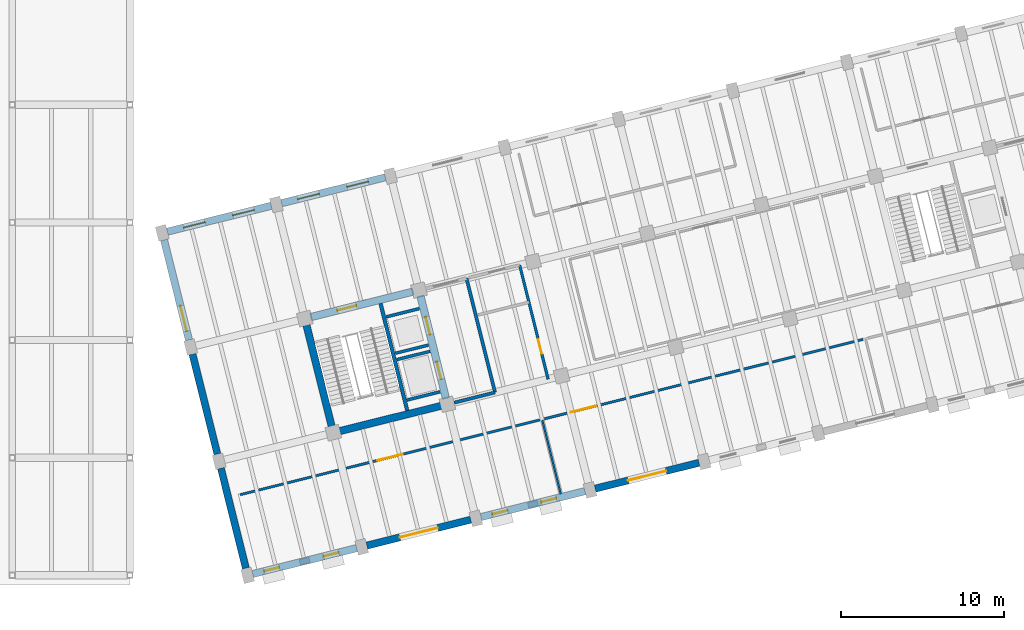
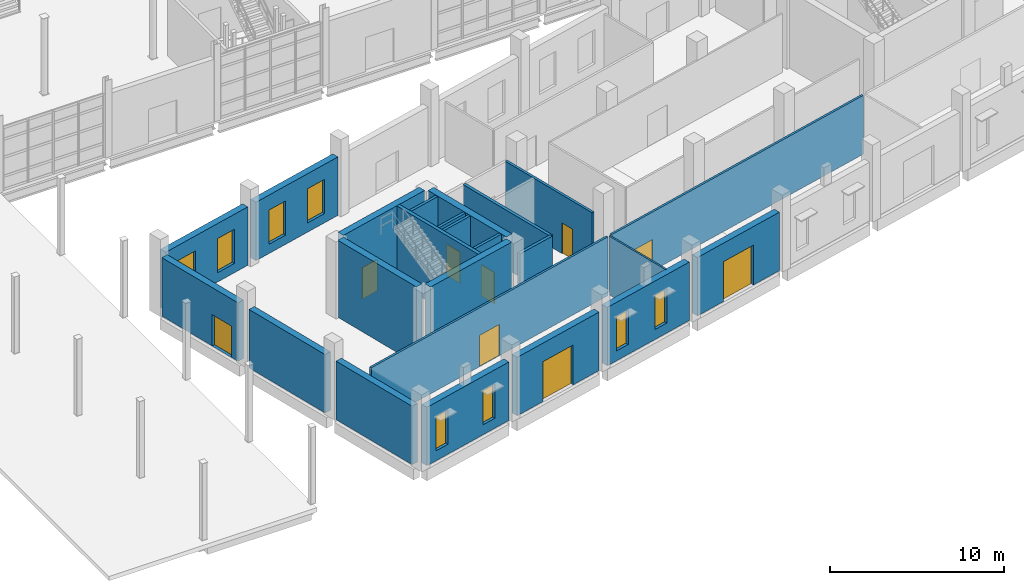
# One storey, part 63 of 79: 24 walls, 9 doors, 8 windows, 17 openings.
"""IFC4 building model written with IfcOpenShell, lengths in metres."""

from ifc_helpers import new_model, si_unit, direction, frame, frame_2d, origin, place, context, subcontext, project, spatial, rectangle, extrude, material, layer, layer_set, type_object, element, fill, save


model = new_model("IFC4")

# Units and contexts
model_context = context("Model", 3, precision=1e-05, world=origin(), true_north=direction((0.0, 1.0)))
body_context = subcontext(model_context, "Body", "Model", "MODEL_VIEW")
ifc_project = project(units=[si_unit("LENGTHUNIT", "METRE"), si_unit("AREAUNIT", "SQUARE_METRE"), si_unit("VOLUMEUNIT", "CUBIC_METRE"), si_unit("PLANEANGLEUNIT", "RADIAN"), si_unit("MASSUNIT", "GRAM", prefix="KILO")], contexts=[model_context])

# Site, building, storey
site_placement = place(None, origin())
site = spatial("IfcSite", under=ifc_project, at=site_placement, CompositionType="ELEMENT")
building_placement = place(site_placement, origin())
building = spatial("IfcBuilding", under=site, at=building_placement, Name="Qiaolan Assembly House", CompositionType="ELEMENT")
storey_placement = place(building_placement, origin())
storey = spatial("IfcBuildingStorey", under=building, at=storey_placement, Name="L00", CompositionType="ELEMENT", Elevation=0.0)

# Wall
ifc_material_1 = material(Name="Concrete C50/60", Category="concrete")
ifc_layer_1 = layer(ifc_material_1, 0.449951171875)
ifc_layer_set_1 = layer_set([ifc_layer_1], Name="Concrete C50/60")
wall_type_1 = type_object("IfcWallType", Name="WAL-CORE-450", PredefinedType="SHEAR", material=ifc_layer_set_1)
wall_1_placement = place(storey_placement, frame((41.583984375, 8.812744140625, 0.0), z_axis=(0.0, 0.0, 1.0), x_axis=(0.970294759049, 0.241925774902, 0.0)))
element("IfcWall", 1, at=wall_1_placement, inside=storey, type_object=wall_type_1, Name="CW-450 shear core wall CORE-C S L00", PredefinedType="SHEAR", context=body_context, shape_type="SweptSolid", body=[
    extrude(rectangle(XDim=6.5, YDim=0.449951171875, at=frame_2d((3.25, 0.0))), origin(), (0.0, 0.0, 1.0), 5.39990234375),
])

# Wall, openings, doors
wall_2_placement = place(storey_placement, frame((48.145751953125, 10.809326171875, 0.0), z_axis=(0.0, 0.0, 1.0), x_axis=(-0.241925774902, 0.970294759049, 0.0)))
wall_2 = element("IfcWall", 2, at=wall_2_placement, inside=storey, type_object=wall_type_1, Name="CW-450 shear core wall CORE-C E L00", PredefinedType="SHEAR", context=body_context, shape_type="SweptSolid", body=[
    extrude(rectangle(XDim=6.5, YDim=0.449951171875, at=frame_2d((3.25, 0.0))), origin(), (0.0, 0.0, 1.0), 5.39990234375),
])
opening_1_placement = place(wall_2_placement, frame((1.22509765625, 0.0, 0.0)))
opening_1 = element("IfcOpeningElement", 3, at=opening_1_placement, cuts=wall_2, Name="Opening LD-046", PredefinedType="OPENING", context=body_context, shape_type="SweptSolid", body=[
    extrude(rectangle(XDim=1.10009765625, YDim=2.199951171875, at=frame_2d((0.550048828125, 1.10009765625))), frame((0.0, 0.23486328125, 0.0), z_axis=(0.0, -1.0, 0.0), x_axis=(1.0, 0.0, 0.0)), (0.0, 0.0, 1.0), 0.469970703125),
])
opening_2_placement = place(wall_2_placement, frame((4.050048828125, 0.0, 0.0)))
opening_2 = element("IfcOpeningElement", 4, at=opening_2_placement, cuts=wall_2, Name="Opening LD-052", PredefinedType="OPENING", context=body_context, shape_type="SweptSolid", body=[
    extrude(rectangle(XDim=1.10009765625, YDim=2.199951171875, at=frame_2d((0.550048828125, 1.10009765625))), frame((0.0, 0.23486328125, 0.0), z_axis=(0.0, -1.0, 0.0), x_axis=(1.0, 0.0, 0.0)), (0.0, 0.0, 1.0), 0.469970703125),
])
ifc_material_2 = material(Name="Anodised bronze aluminium", Category="aluminium")
door_type_1 = type_object("IfcDoorType", Name="DOR-LIFT-LD1100", OperationType="SLIDING_TO_LEFT", PredefinedType="DOOR", material=ifc_material_2)
door_1_placement = place(opening_1_placement, origin())
door_1 = element("IfcDoor", 5, at=door_1_placement, inside=storey, type_object=door_type_1, Name="Lift landing door LD-046 (LF-06 L00)", OperationType="SLIDING_TO_LEFT", OverallHeight=2.199951171875, OverallWidth=1.10009765625, PredefinedType="DOOR", context=body_context, shape_type="SweptSolid", body=[
    extrude(rectangle(XDim=1.10009765625, YDim=2.199951171875, at=frame_2d((0.550048828125, 1.10009765625))), frame((0.0, 0.02490234375, 0.0), z_axis=(0.0, -1.0, 0.0), x_axis=(1.0, 0.0, 0.0)), (0.0, 0.0, 1.0), 0.050048828125),
])
fill(opening_1, door_1)
door_2_placement = place(opening_2_placement, origin())
door_2 = element("IfcDoor", 6, at=door_2_placement, inside=storey, type_object=door_type_1, Name="Lift landing door LD-052 (LF-07 L00)", OperationType="SLIDING_TO_LEFT", OverallHeight=2.199951171875, OverallWidth=1.10009765625, PredefinedType="DOOR", context=body_context, shape_type="SweptSolid", body=[
    extrude(rectangle(XDim=1.10009765625, YDim=2.199951171875, at=frame_2d((0.550048828125, 1.10009765625))), frame((0.0, 0.02490234375, 0.0), z_axis=(0.0, -1.0, 0.0), x_axis=(1.0, 0.0, 0.0)), (0.0, 0.0, 1.0), 0.050048828125),
])
fill(opening_2, door_2)

# Wall, opening, door
wall_3_placement = place(storey_placement, frame((46.14892578125, 17.371337890625, 0.0), z_axis=(0.0, 0.0, 1.0), x_axis=(-0.970294759049, -0.241925774902, 0.0)))
wall_3 = element("IfcWall", 7, at=wall_3_placement, inside=storey, type_object=wall_type_1, Name="CW-450 shear core wall CORE-C N L00", PredefinedType="SHEAR", context=body_context, shape_type="SweptSolid", body=[
    extrude(rectangle(XDim=6.5, YDim=0.449951171875, at=frame_2d((3.25, 0.0))), origin(), (0.0, 0.0, 1.0), 5.39990234375),
])
opening_3_placement = place(wall_3_placement, frame((3.60009765625, 0.0, 0.0)))
opening_3 = element("IfcOpeningElement", 8, at=opening_3_placement, cuts=wall_3, Name="Opening FD-071", PredefinedType="OPENING", context=body_context, shape_type="SweptSolid", body=[
    extrude(rectangle(XDim=1.199951171875, YDim=2.199951171875, at=frame_2d((0.60009765625, 1.10009765625))), frame((0.0, 0.23486328125, 0.0), z_axis=(0.0, -1.0, 0.0), x_axis=(1.0, 0.0, 0.0)), (0.0, 0.0, 1.0), 0.469970703125),
])
ifc_material_3 = material(Name="Steel Q355B", Category="steel")
door_type_2 = type_object("IfcDoorType", Name="DOR-FIRE-FD90-1200", OperationType="NOTDEFINED", PredefinedType="DOOR", material=ifc_material_3)
door_3_placement = place(opening_3_placement, frame((1.199951171875, 0.0, 0.0), z_axis=(0.0, 0.0, 1.0), x_axis=(-1.0, 0.0, 0.0)))
door_3 = element("IfcDoor", 9, at=door_3_placement, inside=storey, type_object=door_type_2, Name="Stairwell fire door FD-071 (CORE-C L00)", OperationType="SINGLE_SWING_LEFT", OverallHeight=2.199951171875, OverallWidth=1.199951171875, PredefinedType="DOOR", context=body_context, shape_type="SweptSolid", body=[
    extrude(rectangle(XDim=1.199951171875, YDim=2.199951171875, at=frame_2d((0.60009765625, 1.10009765625))), frame((0.0, 0.02490234375, 0.0), z_axis=(0.0, -1.0, 0.0), x_axis=(1.0, 0.0, 0.0)), (0.0, 0.0, 1.0), 0.050048828125),
])
fill(opening_3, door_3)

# Wall
wall_4_placement = place(storey_placement, frame((39.587158203125, 15.37451171875, 0.0), z_axis=(0.0, 0.0, 1.0), x_axis=(0.241925774902, -0.970294759049, 0.0)))
element("IfcWall", 10, at=wall_4_placement, inside=storey, type_object=wall_type_1, Name="CW-450 shear core wall CORE-C W L00", PredefinedType="SHEAR", context=body_context, shape_type="SweptSolid", body=[
    extrude(rectangle(XDim=6.5, YDim=0.449951171875, at=frame_2d((3.25, 0.0))), origin(), (0.0, 0.0, 1.0), 5.39990234375),
])

# Wall, openings, windows
ifc_material_4 = material(Name="Honed pale limestone", Category="masonry")
ifc_layer_2 = layer(ifc_material_4, 0.43505859375)
ifc_layer_set_2 = layer_set([ifc_layer_2], Name="Honed pale limestone")
wall_type_2 = type_object("IfcWallType", Name="WAL-EXT-RUSTIC-420", PredefinedType="SOLIDWALL", material=ifc_layer_set_2)
wall_5_placement = place(storey_placement, frame((36.3134765625, 0.078125, 0.0), z_axis=(0.0, 0.0, 1.0), x_axis=(0.970289137034, 0.241948322073, 0.0)))
wall_5 = element("IfcWall", 11, at=wall_5_placement, inside=storey, type_object=wall_type_2, Name="EW-420 SE South boulevard wall L00 bay 1", PredefinedType="SOLIDWALL", context=body_context, shape_type="SweptSolid", body=[
    extrude(rectangle(XDim=6.553955078125, YDim=0.43505859375, at=frame_2d((3.27685546875, 0.0))), origin(), (0.0, 0.0, 1.0), 4.10009765625),
])
opening_4_placement = place(wall_5_placement, frame((0.72705078125, 0.0, 0.699951171875)))
opening_4 = element("IfcOpeningElement", 12, at=opening_4_placement, cuts=wall_5, Name="Opening WN-224", PredefinedType="OPENING", context=body_context, shape_type="SweptSolid", body=[
    extrude(rectangle(XDim=0.949951171875, YDim=2.39990234375, at=frame_2d((0.47509765625, 1.199951171875))), frame((0.0, 0.2275390625, 0.0), z_axis=(0.0, -1.0, 0.0), x_axis=(1.0, 0.0, 0.0)), (0.0, 0.0, 1.0), 0.455078125),
])
opening_5_placement = place(wall_5_placement, frame((4.47705078125, 0.0, 0.699951171875)))
opening_5 = element("IfcOpeningElement", 13, at=opening_5_placement, cuts=wall_5, Name="Opening WN-225", PredefinedType="OPENING", context=body_context, shape_type="SweptSolid", body=[
    extrude(rectangle(XDim=0.949951171875, YDim=2.39990234375, at=frame_2d((0.47509765625, 1.199951171875))), frame((0.0, 0.2275390625, 0.0), z_axis=(0.0, -1.0, 0.0), x_axis=(1.0, 0.0, 0.0)), (0.0, 0.0, 1.0), 0.455078125),
])
ifc_material_5 = material(Name="Low-E double insulating glass", Category="glass")
window_type_1 = type_object("IfcWindowType", Name="WIN-PUNCH-950x2400", PartitioningType="SINGLE_PANEL", PredefinedType="WINDOW", material=ifc_material_5)
window_1_placement = place(opening_4_placement, origin())
window_1 = element("IfcWindow", 14, at=window_1_placement, inside=storey, type_object=window_type_1, Name="WN-T06 splayed window WN-224", OverallHeight=2.39990234375, OverallWidth=0.949951171875, PartitioningType="SINGLE_PANEL", PredefinedType="WINDOW", context=body_context, shape_type="SweptSolid", body=[
    extrude(rectangle(XDim=0.949951171875, YDim=2.39990234375, at=frame_2d((0.47509765625, 1.199951171875))), frame((0.0, 0.030029296875, 0.0), z_axis=(0.0, -1.0, 0.0), x_axis=(1.0, 0.0, 0.0)), (0.0, 0.0, 1.0), 0.06005859375),
])
fill(opening_4, window_1)
window_2_placement = place(opening_5_placement, origin())
window_2 = element("IfcWindow", 15, at=window_2_placement, inside=storey, type_object=window_type_1, Name="WN-T06 splayed window WN-225", OverallHeight=2.39990234375, OverallWidth=0.949951171875, PartitioningType="SINGLE_PANEL", PredefinedType="WINDOW", context=body_context, shape_type="SweptSolid", body=[
    extrude(rectangle(XDim=0.949951171875, YDim=2.39990234375, at=frame_2d((0.47509765625, 1.199951171875))), frame((0.0, 0.030029296875, 0.0), z_axis=(0.0, -1.0, 0.0), x_axis=(1.0, 0.0, 0.0)), (0.0, 0.0, 1.0), 0.06005859375),
])
fill(opening_5, window_2)

# Wall, opening, door
wall_6_placement = place(storey_placement, frame((43.299560546875, 1.820068359375, 0.0), z_axis=(0.0, 0.0, 1.0), x_axis=(0.970300061562, 0.241904507055, 0.0)))
wall_6 = element("IfcWall", 16, at=wall_6_placement, inside=storey, type_object=wall_type_2, Name="EW-420 SE South boulevard wall L00 bay 2", PredefinedType="SOLIDWALL", context=body_context, shape_type="SweptSolid", body=[
    extrude(rectangle(XDim=6.553955078125, YDim=0.43505859375, at=frame_2d((3.27685546875, 0.0))), origin(), (0.0, 0.0, 1.0), 4.10009765625),
])
opening_6_placement = place(wall_6_placement, frame((2.076904296875, 0.0, 0.0)))
opening_6 = element("IfcOpeningElement", 17, at=opening_6_placement, cuts=wall_6, Name="Opening ED-011", PredefinedType="OPENING", context=body_context, shape_type="SweptSolid", body=[
    extrude(rectangle(XDim=2.39990234375, YDim=2.800048828125, at=frame_2d((1.199951171875, 1.39990234375))), frame((0.0, 0.2275390625, 0.0), z_axis=(0.0, -1.0, 0.0), x_axis=(1.0, 0.0, 0.0)), (0.0, 0.0, 1.0), 0.455078125),
])
door_type_3 = type_object("IfcDoorType", Name="DOR-ENTRY-MON-2400", OperationType="DOUBLE_DOOR_SINGLE_SWING", PredefinedType="DOOR", material=ifc_material_2)
door_4_placement = place(opening_6_placement, frame((2.39990234375, 0.0, 0.0), z_axis=(0.0, 0.0, 1.0), x_axis=(-1.0, 0.0, 0.0)))
door_4 = element("IfcDoor", 18, at=door_4_placement, inside=storey, type_object=door_type_3, Name="South Boulevard civic public entrance ED-011", OperationType="DOUBLE_DOOR_SINGLE_SWING", OverallHeight=2.800048828125, OverallWidth=2.39990234375, PredefinedType="DOOR", context=body_context, shape_type="SweptSolid", body=[
    extrude(rectangle(XDim=2.39990234375, YDim=2.800048828125, at=frame_2d((1.199951171875, 1.39990234375))), frame((0.0, 0.02490234375, 0.0), z_axis=(0.0, -1.0, 0.0), x_axis=(1.0, 0.0, 0.0)), (0.0, 0.0, 1.0), 0.050048828125),
])
fill(opening_6, door_4)

# Wall, openings, windows
wall_7_placement = place(storey_placement, frame((50.28564453125, 3.561767578125, 0.0), z_axis=(0.0, 0.0, 1.0), x_axis=(0.970291317579, 0.24193957723, 0.0)))
wall_7 = element("IfcWall", 19, at=wall_7_placement, inside=storey, type_object=wall_type_2, Name="EW-420 SE South boulevard wall L00 bay 3", PredefinedType="SOLIDWALL", context=body_context, shape_type="SweptSolid", body=[
    extrude(rectangle(XDim=6.55419921875, YDim=0.43505859375, at=frame_2d((3.277099609375, 0.0))), origin(), (0.0, 0.0, 1.0), 4.10009765625),
])
opening_7_placement = place(wall_7_placement, frame((0.72705078125, 0.0, 0.699951171875)))
opening_7 = element("IfcOpeningElement", 20, at=opening_7_placement, cuts=wall_7, Name="Opening WN-226", PredefinedType="OPENING", context=body_context, shape_type="SweptSolid", body=[
    extrude(rectangle(XDim=0.949951171875, YDim=2.39990234375, at=frame_2d((0.47509765625, 1.199951171875))), frame((0.0, 0.2275390625, 0.0), z_axis=(0.0, -1.0, 0.0), x_axis=(1.0, 0.0, 0.0)), (0.0, 0.0, 1.0), 0.455078125),
])
opening_8_placement = place(wall_7_placement, frame((3.802001953125, 0.0, 0.699951171875)))
opening_8 = element("IfcOpeningElement", 21, at=opening_8_placement, cuts=wall_7, Name="Opening WN-227", PredefinedType="OPENING", context=body_context, shape_type="SweptSolid", body=[
    extrude(rectangle(XDim=0.949951171875, YDim=2.39990234375, at=frame_2d((0.47509765625, 1.199951171875))), frame((0.0, 0.2275390625, 0.0), z_axis=(0.0, -1.0, 0.0), x_axis=(1.0, 0.0, 0.0)), (0.0, 0.0, 1.0), 0.455078125),
])
window_3_placement = place(opening_7_placement, origin())
window_3 = element("IfcWindow", 22, at=window_3_placement, inside=storey, type_object=window_type_1, Name="WN-T06 splayed window WN-226", OverallHeight=2.39990234375, OverallWidth=0.949951171875, PartitioningType="SINGLE_PANEL", PredefinedType="WINDOW", context=body_context, shape_type="SweptSolid", body=[
    extrude(rectangle(XDim=0.949951171875, YDim=2.39990234375, at=frame_2d((0.47509765625, 1.199951171875))), frame((0.0, 0.030029296875, 0.0), z_axis=(0.0, -1.0, 0.0), x_axis=(1.0, 0.0, 0.0)), (0.0, 0.0, 1.0), 0.06005859375),
])
fill(opening_7, window_3)
window_4_placement = place(opening_8_placement, origin())
window_4 = element("IfcWindow", 23, at=window_4_placement, inside=storey, type_object=window_type_1, Name="WN-T06 splayed window WN-227", OverallHeight=2.39990234375, OverallWidth=0.949951171875, PartitioningType="SINGLE_PANEL", PredefinedType="WINDOW", context=body_context, shape_type="SweptSolid", body=[
    extrude(rectangle(XDim=0.949951171875, YDim=2.39990234375, at=frame_2d((0.47509765625, 1.199951171875))), frame((0.0, 0.030029296875, 0.0), z_axis=(0.0, -1.0, 0.0), x_axis=(1.0, 0.0, 0.0)), (0.0, 0.0, 1.0), 0.06005859375),
])
fill(opening_8, window_4)

# Wall, opening, door
wall_8_placement = place(storey_placement, frame((57.271728515625, 5.3037109375, 0.0), z_axis=(0.0, 0.0, 1.0), x_axis=(0.970300061562, 0.241904507055, 0.0)))
wall_8 = element("IfcWall", 24, at=wall_8_placement, inside=storey, type_object=wall_type_2, Name="EW-420 SE South boulevard wall L00 bay 4", PredefinedType="SOLIDWALL", context=body_context, shape_type="SweptSolid", body=[
    extrude(rectangle(XDim=6.553955078125, YDim=0.43505859375, at=frame_2d((3.27685546875, 0.0))), origin(), (0.0, 0.0, 1.0), 4.10009765625),
])
opening_9_placement = place(wall_8_placement, frame((2.076904296875, 0.0, 0.0)))
opening_9 = element("IfcOpeningElement", 25, at=opening_9_placement, cuts=wall_8, Name="Opening ED-012", PredefinedType="OPENING", context=body_context, shape_type="SweptSolid", body=[
    extrude(rectangle(XDim=2.39990234375, YDim=2.800048828125, at=frame_2d((1.199951171875, 1.39990234375))), frame((0.0, 0.2275390625, 0.0), z_axis=(0.0, -1.0, 0.0), x_axis=(1.0, 0.0, 0.0)), (0.0, 0.0, 1.0), 0.455078125),
])
door_5_placement = place(opening_9_placement, frame((2.39990234375, 0.0, 0.0), z_axis=(0.0, 0.0, 1.0), x_axis=(-1.0, 0.0, 0.0)))
door_5 = element("IfcDoor", 26, at=door_5_placement, inside=storey, type_object=door_type_3, Name="South Boulevard civic public entrance ED-012", OperationType="DOUBLE_DOOR_SINGLE_SWING", OverallHeight=2.800048828125, OverallWidth=2.39990234375, PredefinedType="DOOR", context=body_context, shape_type="SweptSolid", body=[
    extrude(rectangle(XDim=2.39990234375, YDim=2.800048828125, at=frame_2d((1.199951171875, 1.39990234375))), frame((0.0, 0.02490234375, 0.0), z_axis=(0.0, -1.0, 0.0), x_axis=(1.0, 0.0, 0.0)), (0.0, 0.0, 1.0), 0.050048828125),
])
fill(opening_9, door_5)

# Wall, openings, windows
wall_9_placement = place(storey_placement, frame((37.447265625, 22.6220703125, 0.0), z_axis=(0.0, 0.0, 1.0), x_axis=(-0.970300061562, -0.241904507055, 0.0)))
wall_9 = element("IfcWall", 27, at=wall_9_placement, inside=storey, type_object=wall_type_2, Name="EW-420 SE North court wall L00 bay 1", PredefinedType="SOLIDWALL", context=body_context, shape_type="SweptSolid", body=[
    extrude(rectangle(XDim=6.553955078125, YDim=0.43505859375, at=frame_2d((3.27685546875, 0.0))), origin(), (0.0, 0.0, 1.0), 4.10009765625),
])
opening_10_placement = place(wall_9_placement, frame((1.076904296875, 0.0, 0.64990234375)))
opening_10 = element("IfcOpeningElement", 28, at=opening_10_placement, cuts=wall_9, Name="Opening WN-232", PredefinedType="OPENING", context=body_context, shape_type="SweptSolid", body=[
    extrude(rectangle(XDim=1.35009765625, YDim=2.39990234375, at=frame_2d((0.675048828125, 1.199951171875))), frame((0.0, 0.2275390625, 0.0), z_axis=(0.0, -1.0, 0.0), x_axis=(1.0, 0.0, 0.0)), (0.0, 0.0, 1.0), 0.455078125),
])
opening_11_placement = place(wall_9_placement, frame((4.177001953125, 0.0, 0.64990234375)))
opening_11 = element("IfcOpeningElement", 29, at=opening_11_placement, cuts=wall_9, Name="Opening WN-233", PredefinedType="OPENING", context=body_context, shape_type="SweptSolid", body=[
    extrude(rectangle(XDim=1.35009765625, YDim=2.39990234375, at=frame_2d((0.675048828125, 1.199951171875))), frame((0.0, 0.2275390625, 0.0), z_axis=(0.0, -1.0, 0.0), x_axis=(1.0, 0.0, 0.0)), (0.0, 0.0, 1.0), 0.455078125),
])
window_type_2 = type_object("IfcWindowType", Name="WIN-COURT-1350x2400", PartitioningType="DOUBLE_PANEL_VERTICAL", PredefinedType="WINDOW", material=ifc_material_5)
window_5_placement = place(opening_10_placement, origin())
window_5 = element("IfcWindow", 30, at=window_5_placement, inside=storey, type_object=window_type_2, Name="SE court window WN-232", OverallHeight=2.39990234375, OverallWidth=1.35009765625, PartitioningType="DOUBLE_PANEL_VERTICAL", PredefinedType="WINDOW", context=body_context, shape_type="SweptSolid", body=[
    extrude(rectangle(XDim=1.35009765625, YDim=2.39990234375, at=frame_2d((0.675048828125, 1.199951171875))), frame((0.0, 0.030029296875, 0.0), z_axis=(0.0, -1.0, 0.0), x_axis=(1.0, 0.0, 0.0)), (0.0, 0.0, 1.0), 0.06005859375),
])
fill(opening_10, window_5)
window_6_placement = place(opening_11_placement, origin())
window_6 = element("IfcWindow", 31, at=window_6_placement, inside=storey, type_object=window_type_2, Name="SE court window WN-233", OverallHeight=2.39990234375, OverallWidth=1.35009765625, PartitioningType="DOUBLE_PANEL_VERTICAL", PredefinedType="WINDOW", context=body_context, shape_type="SweptSolid", body=[
    extrude(rectangle(XDim=1.35009765625, YDim=2.39990234375, at=frame_2d((0.675048828125, 1.199951171875))), frame((0.0, 0.030029296875, 0.0), z_axis=(0.0, -1.0, 0.0), x_axis=(1.0, 0.0, 0.0)), (0.0, 0.0, 1.0), 0.06005859375),
])
fill(opening_11, window_6)

wall_10_placement = place(storey_placement, frame((44.433349609375, 24.364013671875, 0.0), z_axis=(0.0, 0.0, 1.0), x_axis=(-0.970291317579, -0.24193957723, 0.0)))
wall_10 = element("IfcWall", 32, at=wall_10_placement, inside=storey, type_object=wall_type_2, Name="EW-420 SE North court wall L00 bay 2", PredefinedType="SOLIDWALL", context=body_context, shape_type="SweptSolid", body=[
    extrude(rectangle(XDim=6.55419921875, YDim=0.43505859375, at=frame_2d((3.277099609375, 0.0))), origin(), (0.0, 0.0, 1.0), 4.10009765625),
])
opening_12_placement = place(wall_10_placement, frame((1.076904296875, 0.0, 0.64990234375)))
opening_12 = element("IfcOpeningElement", 33, at=opening_12_placement, cuts=wall_10, Name="Opening WN-234", PredefinedType="OPENING", context=body_context, shape_type="SweptSolid", body=[
    extrude(rectangle(XDim=1.35009765625, YDim=2.39990234375, at=frame_2d((0.675048828125, 1.199951171875))), frame((0.0, 0.2275390625, 0.0), z_axis=(0.0, -1.0, 0.0), x_axis=(1.0, 0.0, 0.0)), (0.0, 0.0, 1.0), 0.455078125),
])
opening_13_placement = place(wall_10_placement, frame((4.177001953125, 0.0, 0.64990234375)))
opening_13 = element("IfcOpeningElement", 34, at=opening_13_placement, cuts=wall_10, Name="Opening WN-235", PredefinedType="OPENING", context=body_context, shape_type="SweptSolid", body=[
    extrude(rectangle(XDim=1.35009765625, YDim=2.39990234375, at=frame_2d((0.675048828125, 1.199951171875))), frame((0.0, 0.2275390625, 0.0), z_axis=(0.0, -1.0, 0.0), x_axis=(1.0, 0.0, 0.0)), (0.0, 0.0, 1.0), 0.455078125),
])
window_7_placement = place(opening_12_placement, origin())
window_7 = element("IfcWindow", 35, at=window_7_placement, inside=storey, type_object=window_type_2, Name="SE court window WN-234", OverallHeight=2.39990234375, OverallWidth=1.35009765625, PartitioningType="DOUBLE_PANEL_VERTICAL", PredefinedType="WINDOW", context=body_context, shape_type="SweptSolid", body=[
    extrude(rectangle(XDim=1.35009765625, YDim=2.39990234375, at=frame_2d((0.675048828125, 1.199951171875))), frame((0.0, 0.030029296875, 0.0), z_axis=(0.0, -1.0, 0.0), x_axis=(1.0, 0.0, 0.0)), (0.0, 0.0, 1.0), 0.06005859375),
])
fill(opening_12, window_7)
window_8_placement = place(opening_13_placement, origin())
window_8 = element("IfcWindow", 36, at=window_8_placement, inside=storey, type_object=window_type_2, Name="SE court window WN-235", OverallHeight=2.39990234375, OverallWidth=1.35009765625, PartitioningType="DOUBLE_PANEL_VERTICAL", PredefinedType="WINDOW", context=body_context, shape_type="SweptSolid", body=[
    extrude(rectangle(XDim=1.35009765625, YDim=2.39990234375, at=frame_2d((0.675048828125, 1.199951171875))), frame((0.0, 0.030029296875, 0.0), z_axis=(0.0, -1.0, 0.0), x_axis=(1.0, 0.0, 0.0)), (0.0, 0.0, 1.0), 0.06005859375),
])
fill(opening_13, window_8)

# Walls
for number, where, z_axis, x_axis, name in (
    (37, (34.366455078125, 6.551513671875, 0.0), (0.0, 0.0, 1.0), (0.241934154531, -0.970292669699, 0.0), "SE West wall L00-1"),
    (38, (32.624755859375, 13.53759765625, 0.0), (0.0, 0.0, 1.0), (0.241934154531, -0.970292669699, 0.0), "SE West wall L00-2"),
):
    element("IfcWall", number, at=place(storey_placement, frame(where, z_axis=z_axis, x_axis=x_axis)), inside=storey, type_object=wall_type_2, Name=name, PredefinedType="SOLIDWALL", context=body_context, shape_type="SweptSolid", body=[
        extrude(rectangle(XDim=6.303955078125, YDim=0.43505859375, at=frame_2d((3.15185546875, 0.0))), origin(), (0.0, 0.0, 1.0), 4.10009765625),
    ])

# Wall, opening, door
wall_11_placement = place(storey_placement, frame((30.8828125, 20.523681640625, 0.0), z_axis=(0.0, 0.0, 1.0), x_axis=(0.241934154531, -0.970292669699, 0.0)))
wall_11 = element("IfcWall", 39, at=wall_11_placement, inside=storey, type_object=wall_type_2, Name="SE West wall L00-3", PredefinedType="SOLIDWALL", context=body_context, shape_type="SweptSolid", body=[
    extrude(rectangle(XDim=6.303955078125, YDim=0.43505859375, at=frame_2d((3.15185546875, 0.0))), origin(), (0.0, 0.0, 1.0), 4.10009765625),
])
opening_14_placement = place(wall_11_placement, frame((4.152099609375, 0.0, 0.0)))
opening_14 = element("IfcOpeningElement", 40, at=opening_14_placement, cuts=wall_11, Name="Opening ED-017", PredefinedType="OPENING", context=body_context, shape_type="SweptSolid", body=[
    extrude(rectangle(XDim=1.60009765625, YDim=2.199951171875, at=frame_2d((0.800048828125, 1.10009765625))), frame((0.0, 0.2275390625, 0.0), z_axis=(0.0, -1.0, 0.0), x_axis=(1.0, 0.0, 0.0)), (0.0, 0.0, 1.0), 0.455078125),
])
door_type_4 = type_object("IfcDoorType", Name="DOR-CORR-DBL-1800", OperationType="DOUBLE_DOOR_SINGLE_SWING", PredefinedType="DOOR", material=ifc_material_2)
door_6_placement = place(opening_14_placement, frame((1.60009765625, 0.0, 0.0), z_axis=(0.0, 0.0, 1.0), x_axis=(-1.0, 0.0, 0.0)))
door_6 = element("IfcDoor", 41, at=door_6_placement, inside=storey, type_object=door_type_4, Name="SE Wing West Forecourt final exit door ED-017", OperationType="DOUBLE_DOOR_SINGLE_SWING", OverallHeight=2.199951171875, OverallWidth=1.60009765625, PredefinedType="DOOR", context=body_context, shape_type="SweptSolid", body=[
    extrude(rectangle(XDim=1.60009765625, YDim=2.199951171875, at=frame_2d((0.800048828125, 1.10009765625))), frame((0.0, 0.02490234375, 0.0), z_axis=(0.0, -1.0, 0.0), x_axis=(1.0, 0.0, 0.0)), (0.0, 0.0, 1.0), 0.050048828125),
])
fill(opening_14, door_6)

# Walls
ifc_material_6 = material(Name="Concrete C35/45", Category="concrete")
ifc_layer_3 = layer(ifc_material_6, 0.199951171875)
ifc_layer_set_3 = layer_set([ifc_layer_3], Name="Concrete C35/45")
wall_type_3 = type_object("IfcWallType", Name="WAL-LOBBY-200", PredefinedType="PARTITIONING", material=ifc_layer_set_3)
wall_12_placement = place(storey_placement, frame((51.141357421875, 11.195556640625, 0.0), z_axis=(0.0, 0.0, 1.0), x_axis=(-0.241937193493, 0.970291911955, 0.0)))
element("IfcWall", 42, at=wall_12_placement, inside=storey, type_object=wall_type_3, Name="Firefighting lift lobby east wall CORE-C L00", PredefinedType="PARTITIONING", context=body_context, shape_type="SweptSolid", body=[
    extrude(rectangle(XDim=7.199951171875, YDim=0.199951171875, at=frame_2d((3.60009765625, 0.0))), origin(), (0.0, 0.0, 1.0), 4.1201171875),
])
wall_13_placement = place(storey_placement, frame((48.637939453125, 10.571533203125, 0.0), z_axis=(0.0, 0.0, 1.0), x_axis=(0.970309259708, 0.2418676095, 0.0)))
element("IfcWall", 43, at=wall_13_placement, inside=storey, type_object=wall_type_3, Name="Firefighting lift lobby south wall CORE-C L00", PredefinedType="PARTITIONING", context=body_context, shape_type="SweptSolid", body=[
    extrude(rectangle(XDim=2.580078125, YDim=0.199951171875, at=frame_2d((1.2900390625, 0.0))), origin(), (0.0, 0.0, 1.0), 4.1201171875),
])
ifc_material_7 = material(Name="Gypsum plasterboard partition")
ifc_layer_4 = layer(ifc_material_7, 0.1201171875)
ifc_layer_set_4 = layer_set([ifc_layer_4], Name="Gypsum plasterboard partition")
wall_type_4 = type_object("IfcWallType", Name="WAL-PART-120", PredefinedType="PARTITIONING", material=ifc_layer_set_4)
wall_14_placement = place(storey_placement, frame((55.168212890625, 4.964599609375, 0.0), z_axis=(0.0, 0.0, 1.0), x_axis=(-0.241883650802, 0.970305260975, 0.0)))
element("IfcWall", 44, at=wall_14_placement, inside=storey, type_object=wall_type_4, Name="Citizens Service Centre — Tax, Social Security & Licensing demising wall", PredefinedType="PARTITIONING", context=body_context, shape_type="SweptSolid", body=[
    extrude(rectangle(XDim=4.670166015625, YDim=0.1201171875, at=frame_2d((2.3349609375, 0.0))), origin(), (0.0, 0.0, 1.0), 4.1201171875),
])

# Wall, opening, door
ifc_layer_5 = layer(ifc_material_7, 0.14990234375)
ifc_layer_set_5 = layer_set([ifc_layer_5], Name="Gypsum plasterboard partition")
wall_type_5 = type_object("IfcWallType", Name="WAL-PART-150", PredefinedType="PARTITIONING", material=ifc_layer_set_5)
wall_15_placement = place(storey_placement, frame((35.542236328125, 4.935791015625, 0.0), z_axis=(0.0, 0.0, 1.0), x_axis=(0.970293521635, 0.241930737758, 0.0)))
wall_15 = element("IfcWall", 45, at=wall_15_placement, inside=storey, type_object=wall_type_5, Name="Citizens Service Centre — Civil Registration Hall north wall", PredefinedType="PARTITIONING", context=body_context, shape_type="SweptSolid", body=[
    extrude(rectangle(XDim=18.900146484375, YDim=0.14990234375, at=frame_2d((9.4501953125, 0.0))), origin(), (0.0, 0.0, 1.0), 4.1201171875),
])
opening_15_placement = place(wall_15_placement, frame((8.64990234375, 0.0, 0.0)))
opening_15 = element("IfcOpeningElement", 46, at=opening_15_placement, cuts=wall_15, Name="Opening SD-235", PredefinedType="OPENING", context=body_context, shape_type="SweptSolid", body=[
    extrude(rectangle(XDim=1.60009765625, YDim=2.199951171875, at=frame_2d((0.800048828125, 1.10009765625))), frame((0.0, 0.0849609375, 0.0), z_axis=(0.0, -1.0, 0.0), x_axis=(1.0, 0.0, 0.0)), (0.0, 0.0, 1.0), 0.169921875),
])
ifc_material_8 = material(Name="Acoustic oak panelling")
door_type_5 = type_object("IfcDoorType", Name="DOR-COMM-DBL-1600", OperationType="DOUBLE_DOOR_SINGLE_SWING", PredefinedType="DOOR", material=ifc_material_8)
door_7_placement = place(opening_15_placement, origin())
door_7 = element("IfcDoor", 47, at=door_7_placement, inside=storey, type_object=door_type_5, Name="Citizens Service Centre — Civil Registration Hall door SD-235", OperationType="DOUBLE_DOOR_SINGLE_SWING", OverallHeight=2.199951171875, OverallWidth=1.60009765625, PredefinedType="DOOR", context=body_context, shape_type="SweptSolid", body=[
    extrude(rectangle(XDim=1.60009765625, YDim=2.199951171875, at=frame_2d((0.800048828125, 1.10009765625))), frame((0.0, 0.02490234375, 0.0), z_axis=(0.0, -1.0, 0.0), x_axis=(1.0, 0.0, 0.0)), (0.0, 0.0, 1.0), 0.050048828125),
])
fill(opening_15, door_7)

wall_16_placement = place(storey_placement, frame((54.171875, 9.580810546875, 0.0), z_axis=(0.0, 0.0, 1.0), x_axis=(0.970297344298, 0.241915405976, 0.0)))
wall_16 = element("IfcWall", 48, at=wall_16_placement, inside=storey, type_object=wall_type_5, Name="Citizens Service Centre — Tax, Social Security & Licensing north wall", PredefinedType="PARTITIONING", context=body_context, shape_type="SweptSolid", body=[
    extrude(rectangle(XDim=20.10009765625, YDim=0.14990234375, at=frame_2d((10.050048828125, 0.0))), origin(), (0.0, 0.0, 1.0), 4.1201171875),
])
opening_16_placement = place(wall_16_placement, frame((1.64990234375, 0.0, 0.0)))
opening_16 = element("IfcOpeningElement", 49, at=opening_16_placement, cuts=wall_16, Name="Opening SD-236", PredefinedType="OPENING", context=body_context, shape_type="SweptSolid", body=[
    extrude(rectangle(XDim=1.60009765625, YDim=2.199951171875, at=frame_2d((0.800048828125, 1.10009765625))), frame((0.0, 0.0849609375, 0.0), z_axis=(0.0, -1.0, 0.0), x_axis=(1.0, 0.0, 0.0)), (0.0, 0.0, 1.0), 0.169921875),
])
door_8_placement = place(opening_16_placement, origin())
door_8 = element("IfcDoor", 50, at=door_8_placement, inside=storey, type_object=door_type_5, Name="Citizens Service Centre — Tax, Social Security & Licensing door SD-236", OperationType="DOUBLE_DOOR_SINGLE_SWING", OverallHeight=2.199951171875, OverallWidth=1.60009765625, PredefinedType="DOOR", context=body_context, shape_type="SweptSolid", body=[
    extrude(rectangle(XDim=1.60009765625, YDim=2.199951171875, at=frame_2d((0.800048828125, 1.10009765625))), frame((0.0, 0.02490234375, 0.0), z_axis=(0.0, -1.0, 0.0), x_axis=(1.0, 0.0, 0.0)), (0.0, 0.0, 1.0), 0.050048828125),
])
fill(opening_16, door_8)

# Walls
ifc_layer_6 = layer(ifc_material_6, 0.18505859375)
ifc_layer_set_6 = layer_set([ifc_layer_6], Name="Concrete C35/45")
wall_type_6 = type_object("IfcWallType", Name="WAL-SHAFT-200", PredefinedType="PARTITIONING", material=ifc_layer_set_6)
for number, where, z_axis, x_axis, name in (
    (51, (45.74462890625, 10.72607421875, 0.0), (0.0, 0.0, 1.0), (0.970292765557, 0.241933770084, 0.0), "SW-200 lift shaft wall LF-06 L00 DIVS"),
    (52, (45.127685546875, 13.2001953125, 0.0), (0.0, 0.0, 1.0), (0.970292765557, 0.241933770084, 0.0), "SW-200 lift shaft wall LF-06 L00 DIVN"),
    (53, (45.031005859375, 13.58837890625, 0.0), (0.0, 0.0, 1.0), (0.970292765557, 0.241933770084, 0.0), "SW-200 lift shaft wall LF-07 L00 DIVS"),
    (54, (44.474609375, 15.820068359375, 0.0), (0.0, 0.0, 1.0), (0.970292765557, 0.241933770084, 0.0), "SW-200 lift shaft wall LF-07 L00 DIVN"),
):
    element("IfcWall", number, at=place(storey_placement, frame(where, z_axis=z_axis, x_axis=x_axis)), inside=storey, type_object=wall_type_6, Name=name, PredefinedType="PARTITIONING", context=body_context, shape_type="SweptSolid", body=[
        extrude(rectangle(XDim=2.10009765625, YDim=0.18505859375, at=frame_2d((1.050048828125, 0.0))), origin(), (0.0, 0.0, 1.0), 5.39990234375),
    ])
ifc_material_9 = material(Name="Concrete C40/50", Category="concrete")
ifc_layer_7 = layer(ifc_material_9, 0.22509765625)
ifc_layer_set_7 = layer_set([ifc_layer_7], Name="Concrete C40/50")
wall_type_7 = type_object("IfcWallType", Name="WAL-STAIR-DIV-225", PredefinedType="SHEAR", material=ifc_layer_set_7)
wall_17_placement = place(storey_placement, frame((45.770751953125, 10.083251953125, 0.0), z_axis=(0.0, 0.0, 1.0), x_axis=(-0.241898249226, 0.970301621673, 0.0)))
element("IfcWall", 55, at=wall_17_placement, inside=storey, type_object=wall_type_7, Name="SDW-225 stairwell structural spine wall CORE-C L00", PredefinedType="SHEAR", context=body_context, shape_type="SweptSolid", body=[
    extrude(rectangle(XDim=6.760009765625, YDim=0.22509765625, at=frame_2d((3.3798828125, 0.0))), origin(), (0.0, 0.0, 1.0), 5.39990234375),
])

# Wall, opening, door
ifc_material_10 = material(Name="Concrete C30/37", Category="concrete")
ifc_layer_8 = layer(ifc_material_10, 0.1650390625)
ifc_layer_set_8 = layer_set([ifc_layer_8], Name="Concrete C30/37")
wall_type_8 = type_object("IfcWallType", Name="WAL-WET-150", PredefinedType="PARTITIONING", material=ifc_layer_set_8)
wall_18_placement = place(storey_placement, frame((54.391845703125, 12.006103515625, 0.0), z_axis=(0.0, 0.0, 1.0), x_axis=(-0.241937193493, 0.970291911955, 0.0)))
wall_18 = element("IfcWall", 56, at=wall_18_placement, inside=storey, type_object=wall_type_8, Name="Public WC east wall CORE-C L00", PredefinedType="PARTITIONING", context=body_context, shape_type="SweptSolid", body=[
    extrude(rectangle(XDim=7.199951171875, YDim=0.1650390625, at=frame_2d((3.60009765625, 0.0))), origin(), (0.0, 0.0, 1.0), 4.1201171875),
])
opening_17_placement = place(wall_18_placement, frame((1.60009765625, 0.0, 0.0)))
opening_17 = element("IfcOpeningElement", 57, at=opening_17_placement, cuts=wall_18, Name="Opening WD-073", PredefinedType="OPENING", context=body_context, shape_type="SweptSolid", body=[
    extrude(rectangle(XDim=0.89990234375, YDim=2.14990234375, at=frame_2d((0.449951171875, 1.074951171875))), frame((0.0, 0.092529296875, 0.0), z_axis=(0.0, -1.0, 0.0), x_axis=(1.0, 0.0, 0.0)), (0.0, 0.0, 1.0), 0.18505859375),
])
door_type_6 = type_object("IfcDoorType", Name="DOR-WC-900", OperationType="NOTDEFINED", PredefinedType="DOOR", material=ifc_material_8)
door_9_placement = place(opening_17_placement, origin())
door_9 = element("IfcDoor", 58, at=door_9_placement, inside=storey, type_object=door_type_6, Name="Public Restroom door WD-073", OperationType="SINGLE_SWING_RIGHT", OverallHeight=2.14990234375, OverallWidth=0.89990234375, PredefinedType="DOOR", context=body_context, shape_type="SweptSolid", body=[
    extrude(rectangle(XDim=0.89990234375, YDim=2.14990234375, at=frame_2d((0.449951171875, 1.074951171875))), frame((0.0, 0.02490234375, 0.0), z_axis=(0.0, -1.0, 0.0), x_axis=(1.0, 0.0, 0.0)), (0.0, 0.0, 1.0), 0.050048828125),
])
fill(opening_17, door_9)

save(model, "model.ifc")
